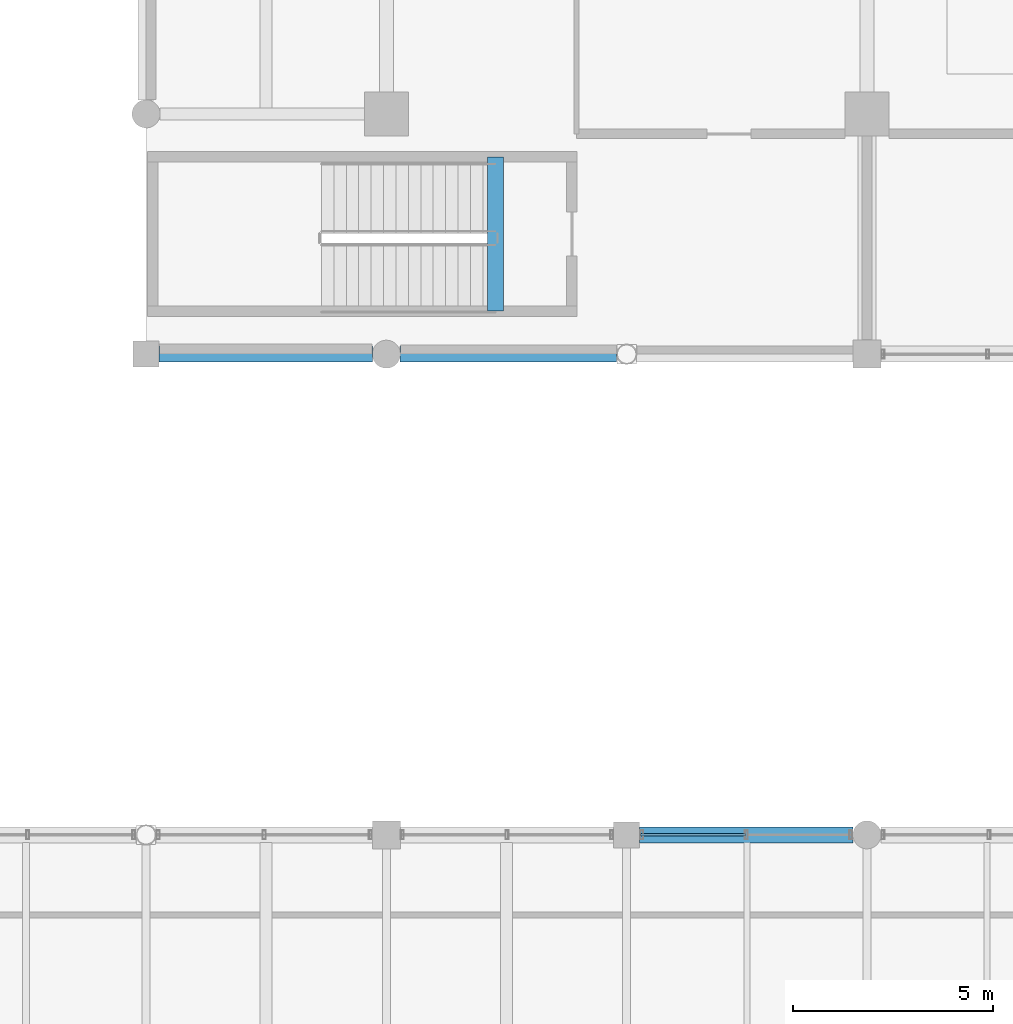
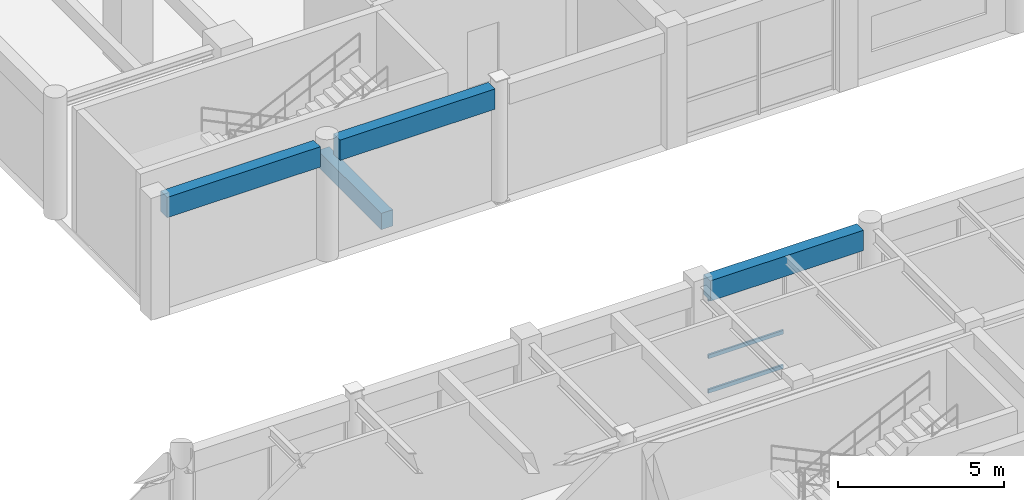
# One storey, part 33 of 116: 4 beams, 3 members, 1 element without a shape of its own.
"""IFC4 building model written with IfcOpenShell, lengths in metres."""

from ifc_helpers import new_model, si_unit, direction, frame, origin, origin_2d, place, context, subcontext, project, spatial, rectangle, hollow_rectangle, extrude, material, material_profile, profile_set, type_object, element, aggregate, save


model = new_model("IFC4")

# Units and contexts
model_context = context("Model", 3, precision=1e-05, world=origin(), true_north=direction((0.0, 1.0)))
body_context = subcontext(model_context, "Body", "Model", "MODEL_VIEW")
ifc_project = project(units=[si_unit("LENGTHUNIT", "METRE"), si_unit("AREAUNIT", "SQUARE_METRE"), si_unit("VOLUMEUNIT", "CUBIC_METRE"), si_unit("PLANEANGLEUNIT", "RADIAN"), si_unit("MASSUNIT", "GRAM", prefix="KILO"), si_unit("THERMODYNAMICTEMPERATUREUNIT", "KELVIN"), si_unit("POWERUNIT", "WATT")], contexts=[model_context])

# Site, building, storey
site_placement = place(None, origin())
site = spatial("IfcSite", under=ifc_project, at=site_placement, CompositionType="ELEMENT")
building_placement = place(site_placement, origin())
building = spatial("IfcBuilding", under=site, at=building_placement, Name="Phaisarnlok Congress Hotel", CompositionType="ELEMENT")
storey_placement = place(building_placement, frame((0.0, 0.0, 10.5)))
storey = spatial("IfcBuildingStorey", under=building, at=storey_placement, Name="L02", CompositionType="ELEMENT", Elevation=10.5)

# Beam
ifc_material_1 = material(Name="Concrete C40/50", Category="concrete")
ifc_material_profile_1 = material_profile(ifc_material_1, rectangle(XDim=0.39990234375, YDim=0.60009765625, at=origin_2d()), Name="RC 400x600")
ifc_profile_set_1 = profile_set([ifc_material_profile_1], Name="Concrete C40/50")
beam_type_1 = type_object("IfcBeamType", Name="BM-RC-400x600", PredefinedType="BEAM", material=ifc_profile_set_1)
beam_1_placement = place(storey_placement, frame((74.719970703125, 109.080078125, -0.300048828125), z_axis=(0.0, 1.0, 0.0), x_axis=(-1.0, 0.0, 0.0)))
element("IfcBeam", 1, at=beam_1_placement, inside=storey, type_object=beam_type_1, Name="Stair landing header beam B-02 (STAIR-HW L02)", PredefinedType="BEAM", context=body_context, shape_type="SweptSolid", body=[
    extrude(rectangle(XDim=0.39990234375, YDim=0.60009765625, at=origin_2d()), origin(), (0.0, 0.0, 1.0), 3.83984375),
])

# Curtain wall, members
ifc_material_2 = material(Name="Thermally Broken Unitised Aluminium & Low-E Glazing", Category="aluminium")
curtain_wall_type = type_object("IfcCurtainWallType", Name="CW-UNIT-16", PredefinedType="NOTDEFINED", material=ifc_material_2)
curtain_wall_placement = place(storey_placement, origin())
curtain_wall = element("IfcCurtainWall", 2, at=curtain_wall_placement, inside=storey, type_object=curtain_wall_type, Name="Unitised curtain wall CW-16 (L02)", PredefinedType="NOTDEFINED")
ifc_material_3 = material(Name="Anodised Aluminium Alloy 6063-T6", Category="aluminium")
ifc_material_profile_2 = material_profile(ifc_material_3, hollow_rectangle(XDim=0.06494140625, YDim=0.139892578125, WallThickness=0.00390625, at=origin_2d()), Name="ALU-T 65x140x4")
ifc_profile_set_2 = profile_set([ifc_material_profile_2], Name="Anodised Aluminium Alloy 6063-T6")
member_type = type_object("IfcMemberType", Name="CWT-150", PredefinedType="USERDEFINED", material=ifc_profile_set_2)
member_1_placement = place(storey_placement, frame((80.972412109375, 96.0, 0.050048828125), z_axis=(-1.0, 0.0, 0.0), x_axis=(0.0, -1.0, 0.0)))
member_1 = element("IfcMember", 3, at=member_1_placement, type_object=member_type, Name="Curtain wall transom CWT-01", ObjectType="TRANSOM", PredefinedType="USERDEFINED", context=body_context, shape_type="SweptSolid", body=[
    extrude(hollow_rectangle(XDim=0.06494140625, YDim=0.139892578125, WallThickness=0.00390625, at=origin_2d()), origin(), (0.0, 0.0, 1.0), 2.622314453125),
])
member_2_placement = place(storey_placement, frame((80.972412109375, 96.0, 1.326171875), z_axis=(-1.0, 0.0, 0.0), x_axis=(0.0, -1.0, 0.0)))
member_2 = element("IfcMember", 4, at=member_2_placement, type_object=member_type, Name="Curtain wall transom CWT-01", ObjectType="TRANSOM", PredefinedType="USERDEFINED", context=body_context, shape_type="SweptSolid", body=[
    extrude(hollow_rectangle(XDim=0.06494140625, YDim=0.139892578125, WallThickness=0.00390625, at=origin_2d()), origin(), (0.0, 0.0, 1.0), 2.622314453125),
])
member_3_placement = place(storey_placement, frame((80.972412109375, 96.0, 3.43994140625), z_axis=(-1.0, 0.0, 0.0), x_axis=(0.0, -1.0, 0.0)))
member_3 = element("IfcMember", 5, at=member_3_placement, type_object=member_type, Name="Curtain wall transom CWT-01", ObjectType="TRANSOM", PredefinedType="USERDEFINED", context=body_context, shape_type="SweptSolid", body=[
    extrude(hollow_rectangle(XDim=0.06494140625, YDim=0.139892578125, WallThickness=0.00390625, at=origin_2d()), origin(), (0.0, 0.0, 1.0), 2.622314453125),
])
aggregate(curtain_wall, [member_1, member_2, member_3])

# Beams
ifc_material_profile_3 = material_profile(ifc_material_1, rectangle(XDim=0.39990234375, YDim=0.75, at=origin_2d()), Name="RC 400x750")
ifc_profile_set_3 = profile_set([ifc_material_profile_3], Name="Concrete C40/50")
beam_type_2 = type_object("IfcBeamType", Name="SP-RC-400x750", PredefinedType="SPANDREL", material=ifc_profile_set_3)
beam_2_placement = place(storey_placement, frame((66.320068359375, 108.0, 3.864990234375), z_axis=(1.0, 0.0, 0.0), x_axis=(0.0, 1.0, 0.0)))
element("IfcBeam", 6, at=beam_2_placement, inside=storey, type_object=beam_type_2, Name="Beam SP-02", PredefinedType="SPANDREL", context=body_context, shape_type="SweptSolid", body=[
    extrude(rectangle(XDim=0.39990234375, YDim=0.75, at=origin_2d()), origin(), (0.0, 0.0, 1.0), 5.3349609375),
])
beam_3_placement = place(storey_placement, frame((72.344970703125, 108.0, 3.864990234375), z_axis=(1.0, 0.0, 0.0), x_axis=(0.0, 1.0, 0.0)))
element("IfcBeam", 7, at=beam_3_placement, inside=storey, type_object=beam_type_2, Name="Beam SP-02", PredefinedType="SPANDREL", context=body_context, shape_type="SweptSolid", body=[
    extrude(rectangle(XDim=0.39990234375, YDim=0.75, at=origin_2d()), origin(), (0.0, 0.0, 1.0), 5.406005859375),
])
beam_4_placement = place(storey_placement, frame((78.320068359375, 96.0, 3.864990234375), z_axis=(1.0, 0.0, 0.0), x_axis=(0.0, 1.0, 0.0)))
element("IfcBeam", 8, at=beam_4_placement, inside=storey, type_object=beam_type_2, Name="Beam SP-02", PredefinedType="SPANDREL", context=body_context, shape_type="SweptSolid", body=[
    extrude(rectangle(XDim=0.39990234375, YDim=0.75, at=origin_2d()), origin(), (0.0, 0.0, 1.0), 5.3349609375),
])

save(model, "model.ifc")
